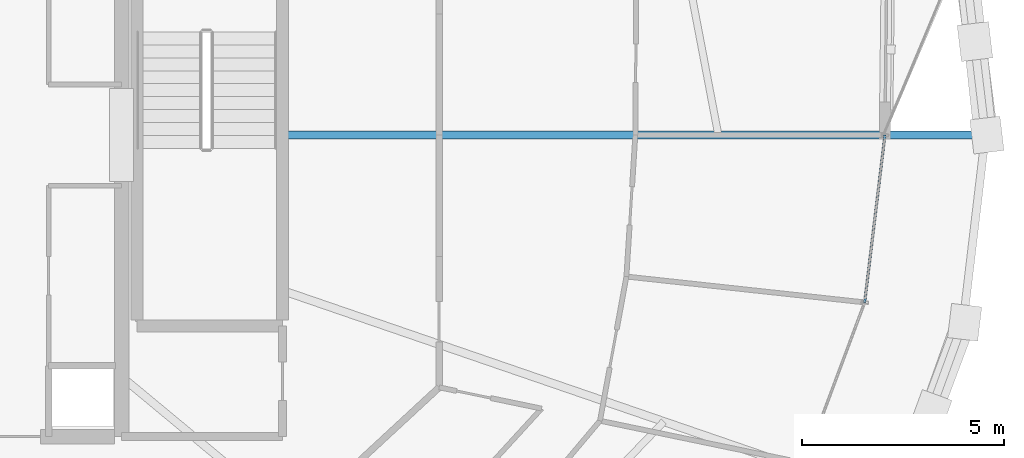
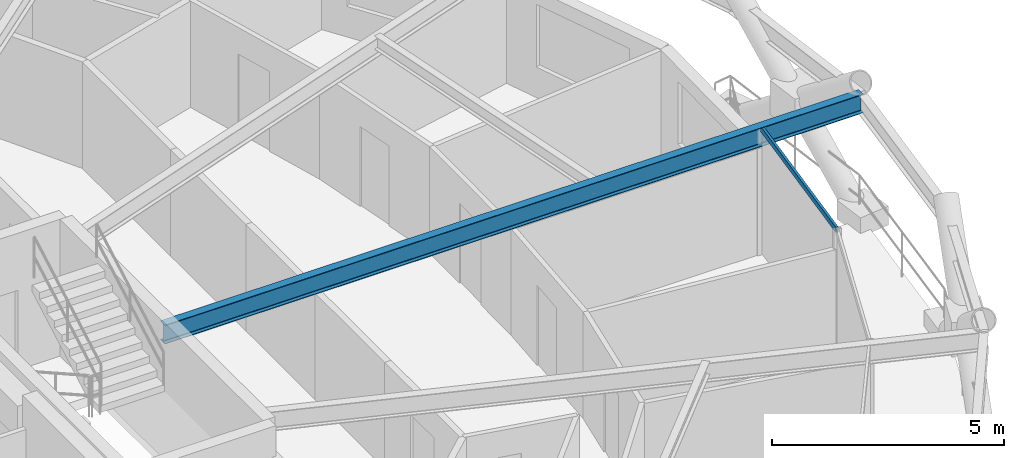
# One storey, part 10 of 21: 1 beam, 1 member, 1 element without a shape of its own.
"""IFC4 building model written with IfcOpenShell, lengths in metres."""

from ifc_helpers import new_model, si_unit, direction, frame, origin, origin_2d, place, context, subcontext, project, spatial, hollow_rectangle, i_section, extrude, material, layer, layer_set, material_profile, profile_set, type_object, element, aggregate, save


model = new_model("IFC4")

# Units and contexts
model_context = context("Model", 3, precision=1e-05, world=origin(), true_north=direction((0.0, 1.0)))
body_context = subcontext(model_context, "Body", "Model", "MODEL_VIEW")
ifc_project = project(units=[si_unit("LENGTHUNIT", "METRE"), si_unit("AREAUNIT", "SQUARE_METRE"), si_unit("VOLUMEUNIT", "CUBIC_METRE"), si_unit("PLANEANGLEUNIT", "RADIAN"), si_unit("MASSUNIT", "GRAM", prefix="KILO")], contexts=[model_context])

# Site, building, storey
site_placement = place(None, origin())
site = spatial("IfcSite", under=ifc_project, at=site_placement, CompositionType="ELEMENT")
building_placement = place(site_placement, origin())
building = spatial("IfcBuilding", under=site, at=building_placement, Name="Veldorina Hangang Commons", CompositionType="ELEMENT")
storey_placement = place(building_placement, frame((0.0, 0.0, 128.0)))
storey = spatial("IfcBuildingStorey", under=building, at=storey_placement, Name="L32", CompositionType="ELEMENT", Elevation=128.0)

# Beam
ifc_material_1 = material(Name="Steel SM420-TMC", Category="steel")
ifc_material_profile_1 = material_profile(ifc_material_1, i_section(OverallWidth=0.199951171875, OverallDepth=0.5, WebThickness=0.010009765625, FlangeThickness=0.01611328125, FilletRadius=0.01611328125, at=origin_2d()), Name="H-500x200x10x16")
ifc_profile_set_1 = profile_set([ifc_material_profile_1], Name="Steel SM420-TMC")
beam_type = type_object("IfcBeamType", Name="BM-FG500", PredefinedType="BEAM", material=ifc_profile_set_1)
beam_placement = place(storey_placement, frame((43.179931640625, 24.0, 3.10009765625), z_axis=(1.0, 0.0, 0.0), x_axis=(0.0, 1.0, 0.0)))
element("IfcBeam", 1, at=beam_placement, inside=storey, type_object=beam_type, Name="L32 radial floor girder 01", PredefinedType="BEAM", context=body_context, shape_type="SweptSolid", body=[
    extrude(i_section(OverallWidth=0.199951171875, OverallDepth=0.5, WebThickness=0.010009765625, FlangeThickness=0.01611328125, FilletRadius=0.01611328125, at=origin_2d()), origin(), (0.0, 0.0, 1.0), 17.36962890625),
])

# Curtain wall, member
ifc_material_2 = material(Name="Glass Low-E Triple IGU", Category="glass")
ifc_layer = layer(ifc_material_2, 0.179931640625)
ifc_layer_set = layer_set([ifc_layer], Name="Glass Low-E Triple IGU")
curtain_wall_type = type_object("IfcCurtainWallType", Name="CW-SYS-Z2", PredefinedType="NOTDEFINED", material=ifc_layer_set)
curtain_wall_placement = place(storey_placement, origin())
curtain_wall = element("IfcCurtainWall", 2, at=curtain_wall_placement, inside=storey, type_object=curtain_wall_type, Name="L32 unitised curtain wall CW-L32-R2", PredefinedType="NOTDEFINED")
ifc_material_3 = material(Name="Aluminium Anodized AA6063-T6", Category="aluminium")
ifc_material_profile_2 = material_profile(ifc_material_3, hollow_rectangle(XDim=0.06005859375, YDim=0.139892578125, WallThickness=0.00341796875, at=origin_2d()), Name="ALU-RHS-140x60x3.5")
ifc_profile_set_2 = profile_set([ifc_material_profile_2], Name="Aluminium Anodized AA6063-T6")
member_type = type_object("IfcMemberType", Name="CW-TRN-140", PredefinedType="USERDEFINED", material=ifc_profile_set_2)
member_placement = place(storey_placement, frame((57.564697265625, 19.8662109375, 3.27001953125), z_axis=(0.120252573186, 0.992743329689, 0.0), x_axis=(-0.992743329689, 0.120252573186, 0.0)))
member = element("IfcMember", 3, at=member_placement, type_object=member_type, Name="CW-L32-R2 facet 5 transom 1", ObjectType="TRANSOM", PredefinedType="USERDEFINED", context=body_context, shape_type="SweptSolid", body=[
    extrude(hollow_rectangle(XDim=0.06005859375, YDim=0.139892578125, WallThickness=0.00341796875, at=origin_2d()), origin(), (0.0, 0.0, 1.0), 4.1640625),
])
aggregate(curtain_wall, [member])

save(model, "model.ifc")
